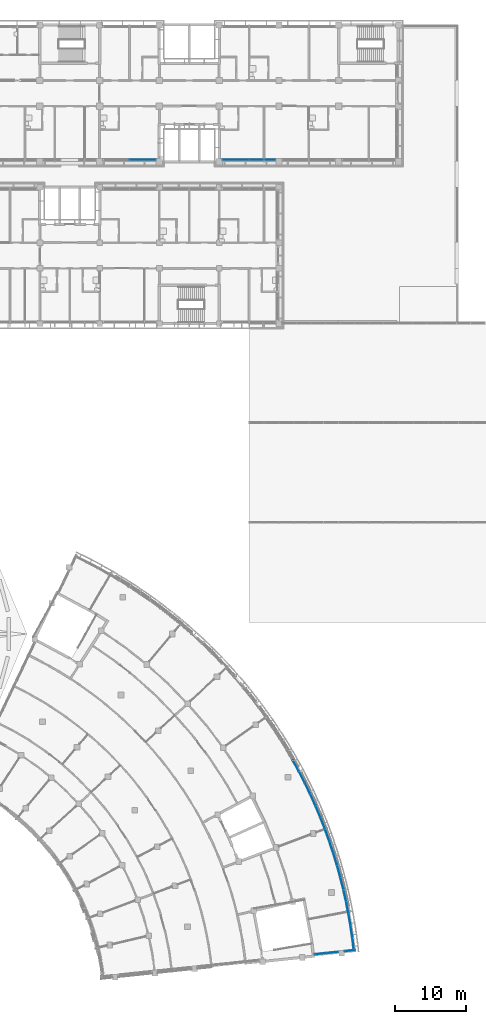
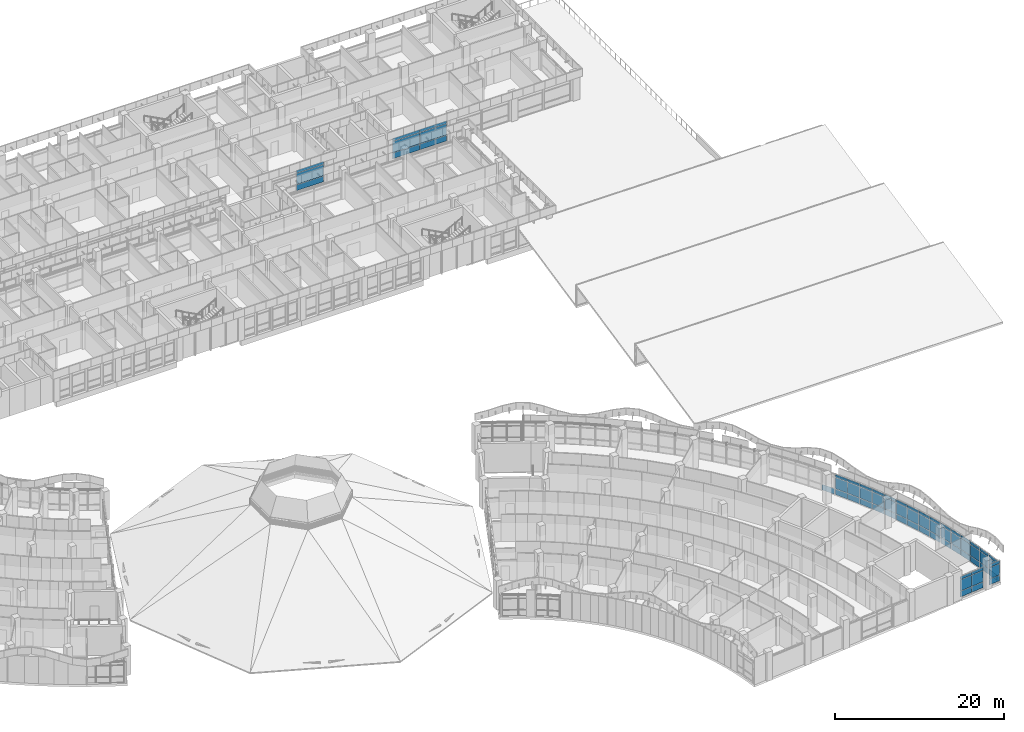
# One storey, part 59 of 137: 64 plates, 8 elements without a shape of their own.
"""IFC4 building model written with IfcOpenShell, lengths in metres."""

from ifc_helpers import new_model, si_unit, direction, frame, origin, origin_2d, place, context, subcontext, project, spatial, rectangle, extrude, material, layer, layer_set, type_object, element, aggregate, save


model = new_model("IFC4")

# Units and contexts
model_context = context("Model", 3, precision=1e-05, world=origin(), true_north=direction((0.0, 1.0)))
body_context = subcontext(model_context, "Body", "Model", "MODEL_VIEW")
ifc_project = project(units=[si_unit("LENGTHUNIT", "METRE"), si_unit("AREAUNIT", "SQUARE_METRE"), si_unit("VOLUMEUNIT", "CUBIC_METRE"), si_unit("PLANEANGLEUNIT", "RADIAN"), si_unit("MASSUNIT", "GRAM", prefix="KILO")], contexts=[model_context])

# Site, building, storey
site_placement = place(None, origin())
site = spatial("IfcSite", under=ifc_project, at=site_placement, CompositionType="ELEMENT")
building_placement = place(site_placement, origin())
building = spatial("IfcBuilding", under=site, at=building_placement, Name="Bougainvillea Quay General Hospital", CompositionType="ELEMENT")
storey_placement = place(building_placement, frame((0.0, 0.0, 16.800048828125)))
storey = spatial("IfcBuildingStorey", under=building, at=storey_placement, Name="L03", CompositionType="ELEMENT", Elevation=16.800048828125)

# Curtain wall, plates
ifc_material_1 = material(Name="Aluminium curtain wall system, powder-coated glazed", Category="aluminium")
curtain_wall_type_1 = type_object("IfcCurtainWallType", Name="Unitised curtain wall CW-1703", PredefinedType="NOTDEFINED", material=ifc_material_1)
curtain_wall_1_placement = place(storey_placement, origin())
curtain_wall_1 = element("IfcCurtainWall", 1, at=curtain_wall_1_placement, inside=storey, type_object=curtain_wall_type_1, Name="CW-AE 04", PredefinedType="NOTDEFINED")
ifc_material_2 = material(Name="Insulated aluminium spandrel panel, white", Category="aluminium")
ifc_layer_1 = layer(ifc_material_2, 0.028076171875)
ifc_layer_set_1 = layer_set([ifc_layer_1], Name="Insulated aluminium spandrel panel, white")
plate_type_1 = type_object("IfcPlateType", Name="Insulated spandrel panel white 28", PredefinedType="CURTAIN_PANEL", material=ifc_layer_set_1)
plate_1_placement = place(storey_placement, frame((173.85888671875, 29.04736328125, 0.059814453125), z_axis=(0.0, 0.0, 1.0), x_axis=(0.9945220309, 0.104527173765, 0.0)))
plate_1 = element("IfcPlate", 2, at=plate_1_placement, type_object=plate_type_1, Name="CW-AE spandrel panel 1.1", PredefinedType="CURTAIN_PANEL", context=body_context, shape_type="SweptSolid", body=[
    extrude(rectangle(XDim=1.612548828125, YDim=0.028076171875, at=origin_2d()), origin(), (0.0, 0.0, 1.0), 0.81005859375),
])
plate_2_placement = place(storey_placement, frame((173.85888671875, 29.04736328125, 2.580078125), z_axis=(0.0, 0.0, 1.0), x_axis=(0.9945220309, 0.104527173765, 0.0)))
plate_2 = element("IfcPlate", 3, at=plate_2_placement, type_object=plate_type_1, Name="CW-AE spandrel panel 1.3", PredefinedType="CURTAIN_PANEL", context=body_context, shape_type="SweptSolid", body=[
    extrude(rectangle(XDim=1.612548828125, YDim=0.028076171875, at=origin_2d()), origin(), (0.0, 0.0, 1.0), 0.409912109375),
])
plate_3_placement = place(storey_placement, frame((175.522216796875, 29.22216796875, 0.059814453125), z_axis=(0.0, 0.0, 1.0), x_axis=(0.9945220309, 0.104527173765, 0.0)))
plate_3 = element("IfcPlate", 4, at=plate_3_placement, type_object=plate_type_1, Name="CW-AE spandrel panel 2.1", PredefinedType="CURTAIN_PANEL", context=body_context, shape_type="SweptSolid", body=[
    extrude(rectangle(XDim=1.612548828125, YDim=0.028076171875, at=origin_2d()), origin(), (0.0, 0.0, 1.0), 0.81005859375),
])
plate_4_placement = place(storey_placement, frame((175.522216796875, 29.22216796875, 2.580078125), z_axis=(0.0, 0.0, 1.0), x_axis=(0.9945220309, 0.104527173765, 0.0)))
plate_4 = element("IfcPlate", 5, at=plate_4_placement, type_object=plate_type_1, Name="CW-AE spandrel panel 2.3", PredefinedType="CURTAIN_PANEL", context=body_context, shape_type="SweptSolid", body=[
    extrude(rectangle(XDim=1.612548828125, YDim=0.028076171875, at=origin_2d()), origin(), (0.0, 0.0, 1.0), 0.409912109375),
])

curtain_wall_type_2 = type_object("IfcCurtainWallType", Name="Unitised curtain wall CW-1581", PredefinedType="NOTDEFINED", material=ifc_material_1)
curtain_wall_2_placement = place(storey_placement, origin())
curtain_wall_2 = element("IfcCurtainWall", 6, at=curtain_wall_2_placement, inside=storey, type_object=curtain_wall_type_2, Name="CW-AE 05", PredefinedType="NOTDEFINED")
plate_5_placement = place(storey_placement, frame((178.0048828125, 29.48291015625, 0.059814453125), z_axis=(0.0, 0.0, 1.0), x_axis=(0.9945220309, 0.104527173765, 0.0)))
plate_5 = element("IfcPlate", 7, at=plate_5_placement, type_object=plate_type_1, Name="CW-AE spandrel panel 1.1", PredefinedType="CURTAIN_PANEL", context=body_context, shape_type="SweptSolid", body=[
    extrude(rectangle(XDim=1.46044921875, YDim=0.028076171875, at=origin_2d()), origin(), (0.0, 0.0, 1.0), 0.81005859375),
])
plate_6_placement = place(storey_placement, frame((178.0048828125, 29.48291015625, 2.580078125), z_axis=(0.0, 0.0, 1.0), x_axis=(0.9945220309, 0.104527173765, 0.0)))
plate_6 = element("IfcPlate", 8, at=plate_6_placement, type_object=plate_type_1, Name="CW-AE spandrel panel 1.3", PredefinedType="CURTAIN_PANEL", context=body_context, shape_type="SweptSolid", body=[
    extrude(rectangle(XDim=1.46044921875, YDim=0.028076171875, at=origin_2d()), origin(), (0.0, 0.0, 1.0), 0.409912109375),
])

# Curtain wall, plate
curtain_wall_type_3 = type_object("IfcCurtainWallType", Name="Unitised curtain wall CW-2100", PredefinedType="NOTDEFINED", material=ifc_material_1)
curtain_wall_3_placement = place(storey_placement, origin())
curtain_wall_3 = element("IfcCurtainWall", 9, at=curtain_wall_3_placement, inside=storey, type_object=curtain_wall_type_3, Name="CW-E05 a14b4", PredefinedType="NOTDEFINED")
plate_7_placement = place(storey_placement, frame((170.385986328125, 55.4755859375, 0.059814453125), z_axis=(0.0, 0.0, 1.0), x_axis=(0.479782535044, -0.877387439543, 0.0)))
plate_7 = element("IfcPlate", 10, at=plate_7_placement, type_object=plate_type_1, Name="CW-E05 spandrel panel 5.1", PredefinedType="CURTAIN_PANEL", context=body_context, shape_type="SweptSolid", body=[
    extrude(rectangle(XDim=1.690185546875, YDim=0.028076171875, at=origin_2d()), origin(), (0.0, 0.0, 1.0), 0.81005859375),
])
aggregate(curtain_wall_3, [plate_7])

# Curtain wall, plates
curtain_wall_4_placement = place(storey_placement, origin())
curtain_wall_4 = element("IfcCurtainWall", 11, at=curtain_wall_4_placement, inside=storey, type_object=curtain_wall_type_3, Name="CW-E06 a14b5", PredefinedType="NOTDEFINED")
plate_8_placement = place(storey_placement, frame((171.234130859375, 53.87646484375, 0.059814453125), z_axis=(0.0, 0.0, 1.0), x_axis=(0.457234526215, -0.889346157599, 0.0)))
plate_8 = element("IfcPlate", 12, at=plate_8_placement, type_object=plate_type_1, Name="CW-E06 spandrel panel 1.1", PredefinedType="CURTAIN_PANEL", context=body_context, shape_type="SweptSolid", body=[
    extrude(rectangle(XDim=1.690185546875, YDim=0.028076171875, at=origin_2d()), origin(), (0.0, 0.0, 1.0), 0.81005859375),
])
plate_9_placement = place(storey_placement, frame((171.234130859375, 53.87646484375, 2.580078125), z_axis=(0.0, 0.0, 1.0), x_axis=(0.457234526215, -0.889346157599, 0.0)))
plate_9 = element("IfcPlate", 13, at=plate_9_placement, type_object=plate_type_1, Name="CW-E06 spandrel panel 1.3", PredefinedType="CURTAIN_PANEL", context=body_context, shape_type="SweptSolid", body=[
    extrude(rectangle(XDim=1.690185546875, YDim=0.028076171875, at=origin_2d()), origin(), (0.0, 0.0, 1.0), 0.409912109375),
])
plate_10_placement = place(storey_placement, frame((172.02099609375, 52.29638671875, 0.059814453125), z_axis=(0.0, 0.0, 1.0), x_axis=(0.434388664007, -0.900725534545, 0.0)))
plate_10 = element("IfcPlate", 14, at=plate_10_placement, type_object=plate_type_1, Name="CW-E06 spandrel panel 2.1", PredefinedType="CURTAIN_PANEL", context=body_context, shape_type="SweptSolid", body=[
    extrude(rectangle(XDim=1.72021484375, YDim=0.028076171875, at=origin_2d()), origin(), (0.0, 0.0, 1.0), 0.81005859375),
])
plate_11_placement = place(storey_placement, frame((172.02099609375, 52.29638671875, 2.580078125), z_axis=(0.0, 0.0, 1.0), x_axis=(0.434388664007, -0.900725534545, 0.0)))
plate_11 = element("IfcPlate", 15, at=plate_11_placement, type_object=plate_type_1, Name="CW-E06 spandrel panel 2.3", PredefinedType="CURTAIN_PANEL", context=body_context, shape_type="SweptSolid", body=[
    extrude(rectangle(XDim=1.72021484375, YDim=0.028076171875, at=origin_2d()), origin(), (0.0, 0.0, 1.0), 0.409912109375),
])
plate_12_placement = place(storey_placement, frame((172.773681640625, 50.683349609375, 0.059814453125), z_axis=(0.0, 0.0, 1.0), x_axis=(0.411259830755, -0.911518157585, 0.0)))
plate_12 = element("IfcPlate", 16, at=plate_12_placement, type_object=plate_type_1, Name="CW-E06 spandrel panel 3.1", PredefinedType="CURTAIN_PANEL", context=body_context, shape_type="SweptSolid", body=[
    extrude(rectangle(XDim=1.72021484375, YDim=0.028076171875, at=origin_2d()), origin(), (0.0, 0.0, 1.0), 0.81005859375),
])
plate_13_placement = place(storey_placement, frame((172.773681640625, 50.683349609375, 2.580078125), z_axis=(0.0, 0.0, 1.0), x_axis=(0.411259830755, -0.911518157585, 0.0)))
plate_13 = element("IfcPlate", 17, at=plate_13_placement, type_object=plate_type_1, Name="CW-E06 spandrel panel 3.3", PredefinedType="CURTAIN_PANEL", context=body_context, shape_type="SweptSolid", body=[
    extrude(rectangle(XDim=1.72021484375, YDim=0.028076171875, at=origin_2d()), origin(), (0.0, 0.0, 1.0), 0.409912109375),
])
plate_14_placement = place(storey_placement, frame((173.48486328125, 49.051513671875, 0.059814453125), z_axis=(0.0, 0.0, 1.0), x_axis=(0.387863093127, -0.921716996149, 0.0)))
plate_14 = element("IfcPlate", 18, at=plate_14_placement, type_object=plate_type_1, Name="CW-E06 spandrel panel 4.1", PredefinedType="CURTAIN_PANEL", context=body_context, shape_type="SweptSolid", body=[
    extrude(rectangle(XDim=1.72021484375, YDim=0.028076171875, at=origin_2d()), origin(), (0.0, 0.0, 1.0), 0.81005859375),
])
plate_15_placement = place(storey_placement, frame((173.48486328125, 49.051513671875, 2.580078125), z_axis=(0.0, 0.0, 1.0), x_axis=(0.387863093127, -0.921716996149, 0.0)))
plate_15 = element("IfcPlate", 19, at=plate_15_placement, type_object=plate_type_1, Name="CW-E06 spandrel panel 4.3", PredefinedType="CURTAIN_PANEL", context=body_context, shape_type="SweptSolid", body=[
    extrude(rectangle(XDim=1.72021484375, YDim=0.028076171875, at=origin_2d()), origin(), (0.0, 0.0, 1.0), 0.409912109375),
])
plate_16_placement = place(storey_placement, frame((174.14892578125, 47.416015625, 0.059814453125), z_axis=(0.0, 0.0, 1.0), x_axis=(0.364213692311, -0.931315406472, 0.0)))
plate_16 = element("IfcPlate", 20, at=plate_16_placement, type_object=plate_type_1, Name="CW-E06 spandrel panel 5.1", PredefinedType="CURTAIN_PANEL", context=body_context, shape_type="SweptSolid", body=[
    extrude(rectangle(XDim=1.690185546875, YDim=0.028076171875, at=origin_2d()), origin(), (0.0, 0.0, 1.0), 0.81005859375),
])
plate_17_placement = place(storey_placement, frame((174.14892578125, 47.416015625, 2.580078125), z_axis=(0.0, 0.0, 1.0), x_axis=(0.364213692311, -0.931315406472, 0.0)))
plate_17 = element("IfcPlate", 21, at=plate_17_placement, type_object=plate_type_1, Name="CW-E06 spandrel panel 5.3", PredefinedType="CURTAIN_PANEL", context=body_context, shape_type="SweptSolid", body=[
    extrude(rectangle(XDim=1.690185546875, YDim=0.028076171875, at=origin_2d()), origin(), (0.0, 0.0, 1.0), 0.409912109375),
])

curtain_wall_5_placement = place(storey_placement, origin())
curtain_wall_5 = element("IfcCurtainWall", 22, at=curtain_wall_5_placement, inside=storey, type_object=curtain_wall_type_3, Name="CW-E07 a14b6", PredefinedType="NOTDEFINED")
plate_18_placement = place(storey_placement, frame((174.78662109375, 45.721923828125, 0.059814453125), z_axis=(0.0, 0.0, 1.0), x_axis=(0.340327034086, -0.940307135924, 0.0)))
plate_18 = element("IfcPlate", 23, at=plate_18_placement, type_object=plate_type_1, Name="CW-E07 spandrel panel 1.1", PredefinedType="CURTAIN_PANEL", context=body_context, shape_type="SweptSolid", body=[
    extrude(rectangle(XDim=1.690185546875, YDim=0.028076171875, at=origin_2d()), origin(), (0.0, 0.0, 1.0), 0.81005859375),
])
plate_19_placement = place(storey_placement, frame((174.78662109375, 45.721923828125, 2.580078125), z_axis=(0.0, 0.0, 1.0), x_axis=(0.340327034086, -0.940307135924, 0.0)))
plate_19 = element("IfcPlate", 24, at=plate_19_placement, type_object=plate_type_1, Name="CW-E07 spandrel panel 1.3", PredefinedType="CURTAIN_PANEL", context=body_context, shape_type="SweptSolid", body=[
    extrude(rectangle(XDim=1.690185546875, YDim=0.028076171875, at=origin_2d()), origin(), (0.0, 0.0, 1.0), 0.409912109375),
])
plate_20_placement = place(storey_placement, frame((175.365966796875, 44.0546875, 0.059814453125), z_axis=(0.0, 0.0, 1.0), x_axis=(0.316218678786, -0.948686327079, 0.0)))
plate_20 = element("IfcPlate", 25, at=plate_20_placement, type_object=plate_type_1, Name="CW-E07 spandrel panel 2.1", PredefinedType="CURTAIN_PANEL", context=body_context, shape_type="SweptSolid", body=[
    extrude(rectangle(XDim=1.72021484375, YDim=0.028076171875, at=origin_2d()), origin(), (0.0, 0.0, 1.0), 0.81005859375),
])
plate_21_placement = place(storey_placement, frame((175.365966796875, 44.0546875, 2.580078125), z_axis=(0.0, 0.0, 1.0), x_axis=(0.316218678786, -0.948686327079, 0.0)))
plate_21 = element("IfcPlate", 26, at=plate_21_placement, type_object=plate_type_1, Name="CW-E07 spandrel panel 2.3", PredefinedType="CURTAIN_PANEL", context=body_context, shape_type="SweptSolid", body=[
    extrude(rectangle(XDim=1.72021484375, YDim=0.028076171875, at=origin_2d()), origin(), (0.0, 0.0, 1.0), 0.409912109375),
])
plate_22_placement = place(storey_placement, frame((175.9072265625, 42.35888671875, 0.059814453125), z_axis=(0.0, 0.0, 1.0), x_axis=(0.291904331163, -0.956447521534, 0.0)))
plate_22 = element("IfcPlate", 27, at=plate_22_placement, type_object=plate_type_1, Name="CW-E07 spandrel panel 3.1", PredefinedType="CURTAIN_PANEL", context=body_context, shape_type="SweptSolid", body=[
    extrude(rectangle(XDim=1.72021484375, YDim=0.028076171875, at=origin_2d()), origin(), (0.0, 0.0, 1.0), 0.81005859375),
])
plate_23_placement = place(storey_placement, frame((175.9072265625, 42.35888671875, 2.580078125), z_axis=(0.0, 0.0, 1.0), x_axis=(0.291904331163, -0.956447521534, 0.0)))
plate_23 = element("IfcPlate", 28, at=plate_23_placement, type_object=plate_type_1, Name="CW-E07 spandrel panel 3.3", PredefinedType="CURTAIN_PANEL", context=body_context, shape_type="SweptSolid", body=[
    extrude(rectangle(XDim=1.72021484375, YDim=0.028076171875, at=origin_2d()), origin(), (0.0, 0.0, 1.0), 0.409912109375),
])
plate_24_placement = place(storey_placement, frame((176.405029296875, 40.649658203125, 0.059814453125), z_axis=(0.0, 0.0, 1.0), x_axis=(0.267399830158, -0.963585663463, 0.0)))
plate_24 = element("IfcPlate", 29, at=plate_24_placement, type_object=plate_type_1, Name="CW-E07 spandrel panel 4.1", PredefinedType="CURTAIN_PANEL", context=body_context, shape_type="SweptSolid", body=[
    extrude(rectangle(XDim=1.72021484375, YDim=0.028076171875, at=origin_2d()), origin(), (0.0, 0.0, 1.0), 0.81005859375),
])
plate_25_placement = place(storey_placement, frame((176.405029296875, 40.649658203125, 2.580078125), z_axis=(0.0, 0.0, 1.0), x_axis=(0.267399830158, -0.963585663463, 0.0)))
plate_25 = element("IfcPlate", 30, at=plate_25_placement, type_object=plate_type_1, Name="CW-E07 spandrel panel 4.3", PredefinedType="CURTAIN_PANEL", context=body_context, shape_type="SweptSolid", body=[
    extrude(rectangle(XDim=1.72021484375, YDim=0.028076171875, at=origin_2d()), origin(), (0.0, 0.0, 1.0), 0.409912109375),
])
plate_26_placement = place(storey_placement, frame((176.85546875, 38.943115234375, 0.059814453125), z_axis=(0.0, 0.0, 1.0), x_axis=(0.242721138583, -0.970096102912, 0.0)))
plate_26 = element("IfcPlate", 31, at=plate_26_placement, type_object=plate_type_1, Name="CW-E07 spandrel panel 5.1", PredefinedType="CURTAIN_PANEL", context=body_context, shape_type="SweptSolid", body=[
    extrude(rectangle(XDim=1.690185546875, YDim=0.028076171875, at=origin_2d()), origin(), (0.0, 0.0, 1.0), 0.81005859375),
])
plate_27_placement = place(storey_placement, frame((176.85546875, 38.943115234375, 2.580078125), z_axis=(0.0, 0.0, 1.0), x_axis=(0.242721138583, -0.970096102912, 0.0)))
plate_27 = element("IfcPlate", 32, at=plate_27_placement, type_object=plate_type_1, Name="CW-E07 spandrel panel 5.3", PredefinedType="CURTAIN_PANEL", context=body_context, shape_type="SweptSolid", body=[
    extrude(rectangle(XDim=1.690185546875, YDim=0.028076171875, at=origin_2d()), origin(), (0.0, 0.0, 1.0), 0.409912109375),
])

curtain_wall_6_placement = place(storey_placement, origin())
curtain_wall_6 = element("IfcCurtainWall", 33, at=curtain_wall_6_placement, inside=storey, type_object=curtain_wall_type_3, Name="CW-E08 a14b7", PredefinedType="NOTDEFINED")
plate_28_placement = place(storey_placement, frame((177.265625, 37.21435546875, 0.059814453125), z_axis=(0.0, 0.0, 1.0), x_axis=(0.218351478204, -0.97587019217, 0.0)))
plate_28 = element("IfcPlate", 34, at=plate_28_placement, type_object=plate_type_1, Name="CW-E08 spandrel panel 1.1", PredefinedType="CURTAIN_PANEL", context=body_context, shape_type="SweptSolid", body=[
    extrude(rectangle(XDim=1.62353515625, YDim=0.028076171875, at=origin_2d()), origin(), (0.0, 0.0, 1.0), 0.81005859375),
])
plate_29_placement = place(storey_placement, frame((177.265625, 37.21435546875, 2.580078125), z_axis=(0.0, 0.0, 1.0), x_axis=(0.218351478204, -0.97587019217, 0.0)))
plate_29 = element("IfcPlate", 35, at=plate_29_placement, type_object=plate_type_1, Name="CW-E08 spandrel panel 1.3", PredefinedType="CURTAIN_PANEL", context=body_context, shape_type="SweptSolid", body=[
    extrude(rectangle(XDim=1.62353515625, YDim=0.028076171875, at=origin_2d()), origin(), (0.0, 0.0, 1.0), 0.409912109375),
])
plate_30_placement = place(storey_placement, frame((177.61572265625, 35.552490234375, 0.059814453125), z_axis=(0.0, 0.0, 1.0), x_axis=(0.194314432457, -0.98093929544, 0.0)))
plate_30 = element("IfcPlate", 36, at=plate_30_placement, type_object=plate_type_1, Name="CW-E08 spandrel panel 2.1", PredefinedType="CURTAIN_PANEL", context=body_context, shape_type="SweptSolid", body=[
    extrude(rectangle(XDim=1.653564453125, YDim=0.028076171875, at=origin_2d()), origin(), (0.0, 0.0, 1.0), 0.81005859375),
])
plate_31_placement = place(storey_placement, frame((177.61572265625, 35.552490234375, 2.580078125), z_axis=(0.0, 0.0, 1.0), x_axis=(0.194314432457, -0.98093929544, 0.0)))
plate_31 = element("IfcPlate", 37, at=plate_31_placement, type_object=plate_type_1, Name="CW-E08 spandrel panel 2.3", PredefinedType="CURTAIN_PANEL", context=body_context, shape_type="SweptSolid", body=[
    extrude(rectangle(XDim=1.653564453125, YDim=0.028076171875, at=origin_2d()), origin(), (0.0, 0.0, 1.0), 0.409912109375),
])
plate_32_placement = place(storey_placement, frame((177.927978515625, 33.867919921875, 0.059814453125), z_axis=(0.0, 0.0, 1.0), x_axis=(0.170160122734, -0.985416426, 0.0)))
plate_32 = element("IfcPlate", 38, at=plate_32_placement, type_object=plate_type_1, Name="CW-E08 spandrel panel 3.1", PredefinedType="CURTAIN_PANEL", context=body_context, shape_type="SweptSolid", body=[
    extrude(rectangle(XDim=1.653564453125, YDim=0.028076171875, at=origin_2d()), origin(), (0.0, 0.0, 1.0), 0.81005859375),
])
plate_33_placement = place(storey_placement, frame((177.927978515625, 33.867919921875, 2.580078125), z_axis=(0.0, 0.0, 1.0), x_axis=(0.170160122734, -0.985416426, 0.0)))
plate_33 = element("IfcPlate", 39, at=plate_33_placement, type_object=plate_type_1, Name="CW-E08 spandrel panel 3.3", PredefinedType="CURTAIN_PANEL", context=body_context, shape_type="SweptSolid", body=[
    extrude(rectangle(XDim=1.653564453125, YDim=0.028076171875, at=origin_2d()), origin(), (0.0, 0.0, 1.0), 0.409912109375),
])
plate_34_placement = place(storey_placement, frame((178.19873046875, 32.176025390625, 0.059814453125), z_axis=(0.0, 0.0, 1.0), x_axis=(0.145903125567, -0.989298882012, 0.0)))
plate_34 = element("IfcPlate", 40, at=plate_34_placement, type_object=plate_type_1, Name="CW-E08 spandrel panel 4.1", PredefinedType="CURTAIN_PANEL", context=body_context, shape_type="SweptSolid", body=[
    extrude(rectangle(XDim=1.653564453125, YDim=0.028076171875, at=origin_2d()), origin(), (0.0, 0.0, 1.0), 0.81005859375),
])
plate_35_placement = place(storey_placement, frame((178.19873046875, 32.176025390625, 2.580078125), z_axis=(0.0, 0.0, 1.0), x_axis=(0.145903125567, -0.989298882012, 0.0)))
plate_35 = element("IfcPlate", 41, at=plate_35_placement, type_object=plate_type_1, Name="CW-E08 spandrel panel 4.3", PredefinedType="CURTAIN_PANEL", context=body_context, shape_type="SweptSolid", body=[
    extrude(rectangle(XDim=1.653564453125, YDim=0.028076171875, at=origin_2d()), origin(), (0.0, 0.0, 1.0), 0.409912109375),
])
plate_36_placement = place(storey_placement, frame((178.42626953125, 30.492919921875, 0.059814453125), z_axis=(0.0, 0.0, 1.0), x_axis=(0.121558079457, -0.992584320508, 0.0)))
plate_36 = element("IfcPlate", 42, at=plate_36_placement, type_object=plate_type_1, Name="CW-E08 spandrel panel 5.1", PredefinedType="CURTAIN_PANEL", context=body_context, shape_type="SweptSolid", body=[
    extrude(rectangle(XDim=1.62353515625, YDim=0.028076171875, at=origin_2d()), origin(), (0.0, 0.0, 1.0), 0.81005859375),
])
plate_37_placement = place(storey_placement, frame((178.42626953125, 30.492919921875, 2.580078125), z_axis=(0.0, 0.0, 1.0), x_axis=(0.121558079457, -0.992584320508, 0.0)))
plate_37 = element("IfcPlate", 43, at=plate_37_placement, type_object=plate_type_1, Name="CW-E08 spandrel panel 5.3", PredefinedType="CURTAIN_PANEL", context=body_context, shape_type="SweptSolid", body=[
    extrude(rectangle(XDim=1.62353515625, YDim=0.028076171875, at=origin_2d()), origin(), (0.0, 0.0, 1.0), 0.409912109375),
])

curtain_wall_type_4 = type_object("IfcCurtainWallType", Name="Unitised curtain wall CW-3730", PredefinedType="NOTDEFINED", material=ifc_material_1)
curtain_wall_7_placement = place(storey_placement, origin())
curtain_wall_7 = element("IfcCurtainWall", 44, at=curtain_wall_7_placement, inside=storey, type_object=curtain_wall_type_4, Name="CW-4200 01", PredefinedType="NOTDEFINED")
plate_38_placement = place(storey_placement, frame((148.85009765625, 140.64990234375, 0.059814453125), z_axis=(0.0, 0.0, 1.0), x_axis=(1.0, 0.0, 0.0)))
plate_38 = element("IfcPlate", 45, at=plate_38_placement, type_object=plate_type_1, Name="CW-4200 spandrel panel 2.1", PredefinedType="CURTAIN_PANEL", context=body_context, shape_type="SweptSolid", body=[
    extrude(rectangle(XDim=3.639892578125, YDim=0.028076171875, at=origin_2d()), origin(), (0.0, 0.0, 1.0), 0.81005859375),
])
plate_39_placement = place(storey_placement, frame((148.85009765625, 140.64990234375, 2.580078125), z_axis=(0.0, 0.0, 1.0), x_axis=(1.0, 0.0, 0.0)))
plate_39 = element("IfcPlate", 46, at=plate_39_placement, type_object=plate_type_1, Name="CW-4200 spandrel panel 2.3", PredefinedType="CURTAIN_PANEL", context=body_context, shape_type="SweptSolid", body=[
    extrude(rectangle(XDim=3.639892578125, YDim=0.028076171875, at=origin_2d()), origin(), (0.0, 0.0, 1.0), 0.409912109375),
])

curtain_wall_8_placement = place(storey_placement, origin())
curtain_wall_8 = element("IfcCurtainWall", 47, at=curtain_wall_8_placement, inside=storey, type_object=curtain_wall_type_4, Name="CW-4200 00", PredefinedType="NOTDEFINED")
plate_40_placement = place(storey_placement, frame((161.949951171875, 140.64990234375, 0.059814453125), z_axis=(0.0, 0.0, 1.0), x_axis=(1.0, 0.0, 0.0)))
plate_40 = element("IfcPlate", 48, at=plate_40_placement, type_object=plate_type_1, Name="CW-4200 spandrel panel 1.1", PredefinedType="CURTAIN_PANEL", context=body_context, shape_type="SweptSolid", body=[
    extrude(rectangle(XDim=3.639892578125, YDim=0.028076171875, at=origin_2d()), origin(), (0.0, 0.0, 1.0), 0.81005859375),
])
plate_41_placement = place(storey_placement, frame((161.949951171875, 140.64990234375, 2.580078125), z_axis=(0.0, 0.0, 1.0), x_axis=(1.0, 0.0, 0.0)))
plate_41 = element("IfcPlate", 49, at=plate_41_placement, type_object=plate_type_1, Name="CW-4200 spandrel panel 1.3", PredefinedType="CURTAIN_PANEL", context=body_context, shape_type="SweptSolid", body=[
    extrude(rectangle(XDim=3.639892578125, YDim=0.028076171875, at=origin_2d()), origin(), (0.0, 0.0, 1.0), 0.409912109375),
])
plate_42_placement = place(storey_placement, frame((165.64990234375, 140.64990234375, 0.059814453125), z_axis=(0.0, 0.0, 1.0), x_axis=(1.0, 0.0, 0.0)))
plate_42 = element("IfcPlate", 50, at=plate_42_placement, type_object=plate_type_1, Name="CW-4200 spandrel panel 2.1", PredefinedType="CURTAIN_PANEL", context=body_context, shape_type="SweptSolid", body=[
    extrude(rectangle(XDim=3.639892578125, YDim=0.028076171875, at=origin_2d()), origin(), (0.0, 0.0, 1.0), 0.81005859375),
])
plate_43_placement = place(storey_placement, frame((165.64990234375, 140.64990234375, 2.580078125), z_axis=(0.0, 0.0, 1.0), x_axis=(1.0, 0.0, 0.0)))
plate_43 = element("IfcPlate", 51, at=plate_43_placement, type_object=plate_type_1, Name="CW-4200 spandrel panel 2.3", PredefinedType="CURTAIN_PANEL", context=body_context, shape_type="SweptSolid", body=[
    extrude(rectangle(XDim=3.639892578125, YDim=0.028076171875, at=origin_2d()), origin(), (0.0, 0.0, 1.0), 0.409912109375),
])

# Plate
ifc_material_3 = material(Name="Low-e laminated glass, solar control", Category="glass")
ifc_layer_2 = layer(ifc_material_3, 0.028076171875)
ifc_layer_set_2 = layer_set([ifc_layer_2], Name="Low-e laminated glass, solar control")
plate_type_2 = type_object("IfcPlateType", Name="Low-e laminated vision glass 28", PredefinedType="CURTAIN_PANEL", material=ifc_layer_set_2)
plate_44_placement = place(storey_placement, frame((173.85888671875, 29.04736328125, 0.9296875), z_axis=(0.0, 0.0, 1.0), x_axis=(0.9945220309, 0.104527173765, 0.0)))
plate_44 = element("IfcPlate", 52, at=plate_44_placement, type_object=plate_type_2, Name="CW-AE vision glass panel 1.2", PredefinedType="CURTAIN_PANEL", context=body_context, shape_type="SweptSolid", body=[
    extrude(rectangle(XDim=1.612548828125, YDim=0.028076171875, at=origin_2d()), origin(), (0.0, 0.0, 1.0), 1.590087890625),
])

plate_45_placement = place(storey_placement, frame((175.522216796875, 29.22216796875, 0.9296875), z_axis=(0.0, 0.0, 1.0), x_axis=(0.9945220309, 0.104527173765, 0.0)))
plate_45 = element("IfcPlate", 53, at=plate_45_placement, type_object=plate_type_2, Name="CW-AE vision glass panel 2.2", PredefinedType="CURTAIN_PANEL", context=body_context, shape_type="SweptSolid", body=[
    extrude(rectangle(XDim=1.612548828125, YDim=0.028076171875, at=origin_2d()), origin(), (0.0, 0.0, 1.0), 1.590087890625),
])

aggregate(curtain_wall_1, [plate_1, plate_44, plate_2, plate_3, plate_45, plate_4])

plate_46_placement = place(storey_placement, frame((178.0048828125, 29.48291015625, 0.9296875), z_axis=(0.0, 0.0, 1.0), x_axis=(0.9945220309, 0.104527173765, 0.0)))
plate_46 = element("IfcPlate", 54, at=plate_46_placement, type_object=plate_type_2, Name="CW-AE vision glass panel 1.2", PredefinedType="CURTAIN_PANEL", context=body_context, shape_type="SweptSolid", body=[
    extrude(rectangle(XDim=1.46044921875, YDim=0.028076171875, at=origin_2d()), origin(), (0.0, 0.0, 1.0), 1.590087890625),
])

aggregate(curtain_wall_2, [plate_5, plate_46, plate_6])

plate_47_placement = place(storey_placement, frame((171.234130859375, 53.87646484375, 0.9296875), z_axis=(0.0, 0.0, 1.0), x_axis=(0.457234526215, -0.889346157599, 0.0)))
plate_47 = element("IfcPlate", 55, at=plate_47_placement, type_object=plate_type_2, Name="CW-E06 vision glass panel 1.2", PredefinedType="CURTAIN_PANEL", context=body_context, shape_type="SweptSolid", body=[
    extrude(rectangle(XDim=1.690185546875, YDim=0.028076171875, at=origin_2d()), origin(), (0.0, 0.0, 1.0), 1.590087890625),
])

plate_48_placement = place(storey_placement, frame((172.02099609375, 52.29638671875, 0.9296875), z_axis=(0.0, 0.0, 1.0), x_axis=(0.434388664007, -0.900725534545, 0.0)))
plate_48 = element("IfcPlate", 56, at=plate_48_placement, type_object=plate_type_2, Name="CW-E06 vision glass panel 2.2", PredefinedType="CURTAIN_PANEL", context=body_context, shape_type="SweptSolid", body=[
    extrude(rectangle(XDim=1.72021484375, YDim=0.028076171875, at=origin_2d()), origin(), (0.0, 0.0, 1.0), 1.590087890625),
])

plate_49_placement = place(storey_placement, frame((172.773681640625, 50.683349609375, 0.9296875), z_axis=(0.0, 0.0, 1.0), x_axis=(0.411259830755, -0.911518157585, 0.0)))
plate_49 = element("IfcPlate", 57, at=plate_49_placement, type_object=plate_type_2, Name="CW-E06 vision glass panel 3.2", PredefinedType="CURTAIN_PANEL", context=body_context, shape_type="SweptSolid", body=[
    extrude(rectangle(XDim=1.72021484375, YDim=0.028076171875, at=origin_2d()), origin(), (0.0, 0.0, 1.0), 1.590087890625),
])

plate_50_placement = place(storey_placement, frame((173.48486328125, 49.051513671875, 0.9296875), z_axis=(0.0, 0.0, 1.0), x_axis=(0.387863093127, -0.921716996149, 0.0)))
plate_50 = element("IfcPlate", 58, at=plate_50_placement, type_object=plate_type_2, Name="CW-E06 vision glass panel 4.2", PredefinedType="CURTAIN_PANEL", context=body_context, shape_type="SweptSolid", body=[
    extrude(rectangle(XDim=1.72021484375, YDim=0.028076171875, at=origin_2d()), origin(), (0.0, 0.0, 1.0), 1.590087890625),
])

plate_51_placement = place(storey_placement, frame((174.14892578125, 47.416015625, 0.9296875), z_axis=(0.0, 0.0, 1.0), x_axis=(0.364213692311, -0.931315406472, 0.0)))
plate_51 = element("IfcPlate", 59, at=plate_51_placement, type_object=plate_type_2, Name="CW-E06 vision glass panel 5.2", PredefinedType="CURTAIN_PANEL", context=body_context, shape_type="SweptSolid", body=[
    extrude(rectangle(XDim=1.690185546875, YDim=0.028076171875, at=origin_2d()), origin(), (0.0, 0.0, 1.0), 1.590087890625),
])

aggregate(curtain_wall_4, [plate_8, plate_47, plate_9, plate_10, plate_48, plate_11, plate_12, plate_49, plate_13, plate_14, plate_50, plate_15, plate_16, plate_51, plate_17])

plate_52_placement = place(storey_placement, frame((174.78662109375, 45.721923828125, 0.9296875), z_axis=(0.0, 0.0, 1.0), x_axis=(0.340327034086, -0.940307135924, 0.0)))
plate_52 = element("IfcPlate", 60, at=plate_52_placement, type_object=plate_type_2, Name="CW-E07 vision glass panel 1.2", PredefinedType="CURTAIN_PANEL", context=body_context, shape_type="SweptSolid", body=[
    extrude(rectangle(XDim=1.690185546875, YDim=0.028076171875, at=origin_2d()), origin(), (0.0, 0.0, 1.0), 1.590087890625),
])

plate_53_placement = place(storey_placement, frame((175.365966796875, 44.0546875, 0.9296875), z_axis=(0.0, 0.0, 1.0), x_axis=(0.316218678786, -0.948686327079, 0.0)))
plate_53 = element("IfcPlate", 61, at=plate_53_placement, type_object=plate_type_2, Name="CW-E07 vision glass panel 2.2", PredefinedType="CURTAIN_PANEL", context=body_context, shape_type="SweptSolid", body=[
    extrude(rectangle(XDim=1.72021484375, YDim=0.028076171875, at=origin_2d()), origin(), (0.0, 0.0, 1.0), 1.590087890625),
])

plate_54_placement = place(storey_placement, frame((175.9072265625, 42.35888671875, 0.9296875), z_axis=(0.0, 0.0, 1.0), x_axis=(0.291904331163, -0.956447521534, 0.0)))
plate_54 = element("IfcPlate", 62, at=plate_54_placement, type_object=plate_type_2, Name="CW-E07 vision glass panel 3.2", PredefinedType="CURTAIN_PANEL", context=body_context, shape_type="SweptSolid", body=[
    extrude(rectangle(XDim=1.72021484375, YDim=0.028076171875, at=origin_2d()), origin(), (0.0, 0.0, 1.0), 1.590087890625),
])

plate_55_placement = place(storey_placement, frame((176.405029296875, 40.649658203125, 0.9296875), z_axis=(0.0, 0.0, 1.0), x_axis=(0.267399830158, -0.963585663463, 0.0)))
plate_55 = element("IfcPlate", 63, at=plate_55_placement, type_object=plate_type_2, Name="CW-E07 vision glass panel 4.2", PredefinedType="CURTAIN_PANEL", context=body_context, shape_type="SweptSolid", body=[
    extrude(rectangle(XDim=1.72021484375, YDim=0.028076171875, at=origin_2d()), origin(), (0.0, 0.0, 1.0), 1.590087890625),
])

plate_56_placement = place(storey_placement, frame((176.85546875, 38.943115234375, 0.9296875), z_axis=(0.0, 0.0, 1.0), x_axis=(0.242721138583, -0.970096102912, 0.0)))
plate_56 = element("IfcPlate", 64, at=plate_56_placement, type_object=plate_type_2, Name="CW-E07 vision glass panel 5.2", PredefinedType="CURTAIN_PANEL", context=body_context, shape_type="SweptSolid", body=[
    extrude(rectangle(XDim=1.690185546875, YDim=0.028076171875, at=origin_2d()), origin(), (0.0, 0.0, 1.0), 1.590087890625),
])

aggregate(curtain_wall_5, [plate_18, plate_52, plate_19, plate_20, plate_53, plate_21, plate_22, plate_54, plate_23, plate_24, plate_55, plate_25, plate_26, plate_56, plate_27])

plate_57_placement = place(storey_placement, frame((177.265625, 37.21435546875, 0.9296875), z_axis=(0.0, 0.0, 1.0), x_axis=(0.218351478204, -0.97587019217, 0.0)))
plate_57 = element("IfcPlate", 65, at=plate_57_placement, type_object=plate_type_2, Name="CW-E08 vision glass panel 1.2", PredefinedType="CURTAIN_PANEL", context=body_context, shape_type="SweptSolid", body=[
    extrude(rectangle(XDim=1.62353515625, YDim=0.028076171875, at=origin_2d()), origin(), (0.0, 0.0, 1.0), 1.590087890625),
])

plate_58_placement = place(storey_placement, frame((177.61572265625, 35.552490234375, 0.9296875), z_axis=(0.0, 0.0, 1.0), x_axis=(0.194314432457, -0.98093929544, 0.0)))
plate_58 = element("IfcPlate", 66, at=plate_58_placement, type_object=plate_type_2, Name="CW-E08 vision glass panel 2.2", PredefinedType="CURTAIN_PANEL", context=body_context, shape_type="SweptSolid", body=[
    extrude(rectangle(XDim=1.653564453125, YDim=0.028076171875, at=origin_2d()), origin(), (0.0, 0.0, 1.0), 1.590087890625),
])

plate_59_placement = place(storey_placement, frame((177.927978515625, 33.867919921875, 0.9296875), z_axis=(0.0, 0.0, 1.0), x_axis=(0.170160122734, -0.985416426, 0.0)))
plate_59 = element("IfcPlate", 67, at=plate_59_placement, type_object=plate_type_2, Name="CW-E08 vision glass panel 3.2", PredefinedType="CURTAIN_PANEL", context=body_context, shape_type="SweptSolid", body=[
    extrude(rectangle(XDim=1.653564453125, YDim=0.028076171875, at=origin_2d()), origin(), (0.0, 0.0, 1.0), 1.590087890625),
])

plate_60_placement = place(storey_placement, frame((178.19873046875, 32.176025390625, 0.9296875), z_axis=(0.0, 0.0, 1.0), x_axis=(0.145903125567, -0.989298882012, 0.0)))
plate_60 = element("IfcPlate", 68, at=plate_60_placement, type_object=plate_type_2, Name="CW-E08 vision glass panel 4.2", PredefinedType="CURTAIN_PANEL", context=body_context, shape_type="SweptSolid", body=[
    extrude(rectangle(XDim=1.653564453125, YDim=0.028076171875, at=origin_2d()), origin(), (0.0, 0.0, 1.0), 1.590087890625),
])

plate_61_placement = place(storey_placement, frame((178.42626953125, 30.492919921875, 0.9296875), z_axis=(0.0, 0.0, 1.0), x_axis=(0.121558079457, -0.992584320508, 0.0)))
plate_61 = element("IfcPlate", 69, at=plate_61_placement, type_object=plate_type_2, Name="CW-E08 vision glass panel 5.2", PredefinedType="CURTAIN_PANEL", context=body_context, shape_type="SweptSolid", body=[
    extrude(rectangle(XDim=1.62353515625, YDim=0.028076171875, at=origin_2d()), origin(), (0.0, 0.0, 1.0), 1.590087890625),
])

aggregate(curtain_wall_6, [plate_28, plate_57, plate_29, plate_30, plate_58, plate_31, plate_32, plate_59, plate_33, plate_34, plate_60, plate_35, plate_36, plate_61, plate_37])

plate_62_placement = place(storey_placement, frame((148.85009765625, 140.64990234375, 0.9296875), z_axis=(0.0, 0.0, 1.0), x_axis=(1.0, 0.0, 0.0)))
plate_62 = element("IfcPlate", 70, at=plate_62_placement, type_object=plate_type_2, Name="CW-4200 vision glass panel 2.2", PredefinedType="CURTAIN_PANEL", context=body_context, shape_type="SweptSolid", body=[
    extrude(rectangle(XDim=3.639892578125, YDim=0.028076171875, at=origin_2d()), origin(), (0.0, 0.0, 1.0), 1.590087890625),
])

aggregate(curtain_wall_7, [plate_38, plate_62, plate_39])

plate_63_placement = place(storey_placement, frame((161.949951171875, 140.64990234375, 0.9296875), z_axis=(0.0, 0.0, 1.0), x_axis=(1.0, 0.0, 0.0)))
plate_63 = element("IfcPlate", 71, at=plate_63_placement, type_object=plate_type_2, Name="CW-4200 vision glass panel 1.2", PredefinedType="CURTAIN_PANEL", context=body_context, shape_type="SweptSolid", body=[
    extrude(rectangle(XDim=3.639892578125, YDim=0.028076171875, at=origin_2d()), origin(), (0.0, 0.0, 1.0), 1.590087890625),
])

plate_64_placement = place(storey_placement, frame((165.64990234375, 140.64990234375, 0.9296875), z_axis=(0.0, 0.0, 1.0), x_axis=(1.0, 0.0, 0.0)))
plate_64 = element("IfcPlate", 72, at=plate_64_placement, type_object=plate_type_2, Name="CW-4200 vision glass panel 2.2", PredefinedType="CURTAIN_PANEL", context=body_context, shape_type="SweptSolid", body=[
    extrude(rectangle(XDim=3.639892578125, YDim=0.028076171875, at=origin_2d()), origin(), (0.0, 0.0, 1.0), 1.590087890625),
])

aggregate(curtain_wall_8, [plate_40, plate_63, plate_41, plate_42, plate_64, plate_43])

save(model, "model.ifc")
